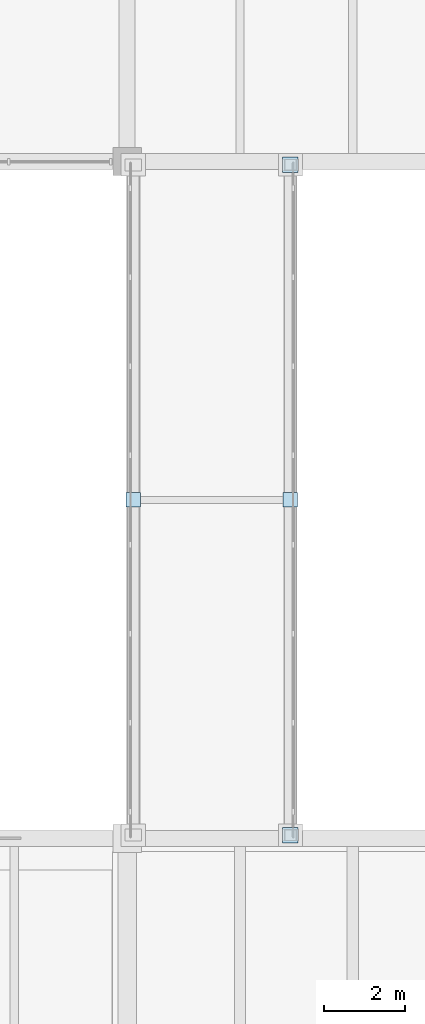
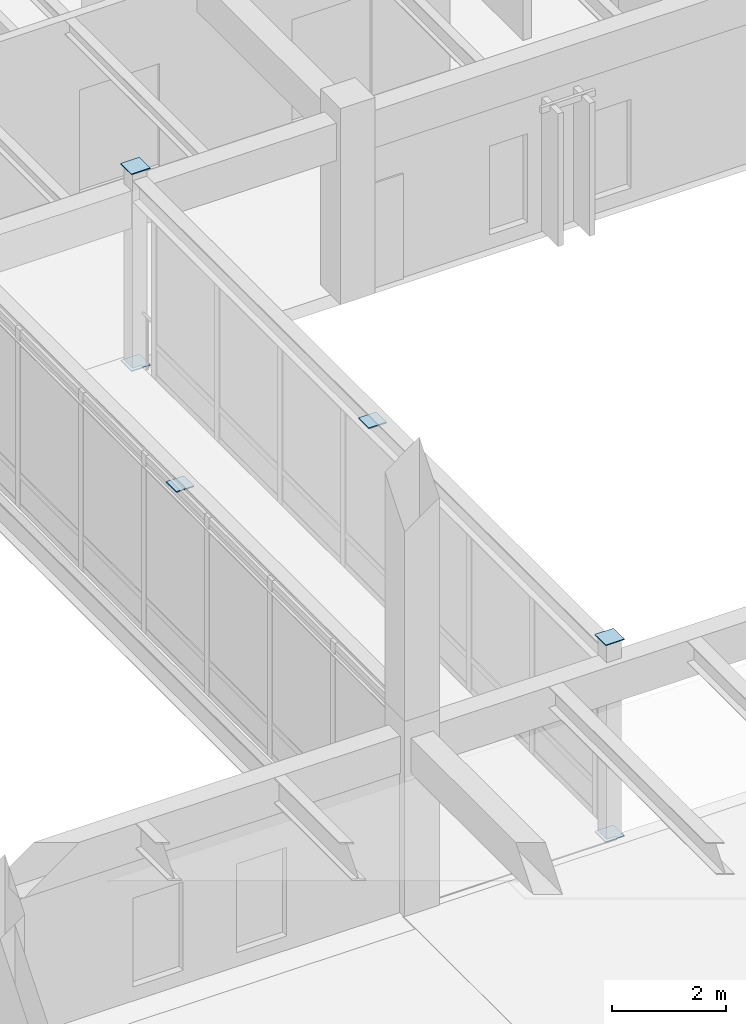
# One storey, part 81 of 132: 6 plates.
"""IFC4 building model written with IfcOpenShell, lengths in metres."""

from ifc_helpers import new_model, si_unit, direction, frame, origin, origin_2d, place, context, subcontext, project, spatial, rectangle, extrude, material, layer, layer_set, type_object, element, save


model = new_model("IFC4")

# Units and contexts
model_context = context("Model", 3, precision=1e-05, world=origin(), true_north=direction((0.0, 1.0)))
body_context = subcontext(model_context, "Body", "Model", "MODEL_VIEW")
ifc_project = project(units=[si_unit("LENGTHUNIT", "METRE"), si_unit("AREAUNIT", "SQUARE_METRE"), si_unit("VOLUMEUNIT", "CUBIC_METRE"), si_unit("PLANEANGLEUNIT", "RADIAN"), si_unit("MASSUNIT", "GRAM", prefix="KILO")], contexts=[model_context])

# Site, building, storey
site_placement = place(None, origin())
site = spatial("IfcSite", under=ifc_project, at=site_placement, CompositionType="ELEMENT")
building_placement = place(site_placement, origin())
building = spatial("IfcBuilding", under=site, at=building_placement, Name="Cumbredor Promenade Congress Hotel", CompositionType="ELEMENT")
storey_placement = place(building_placement, frame((0.0, 0.0, 7.56005859375)))
storey = spatial("IfcBuildingStorey", under=building, at=storey_placement, Name="L02", CompositionType="ELEMENT", Elevation=7.56005859375)

# Plates
ifc_material = material(Name="Steel ASTM A572 Grade 50", Category="steel")
ifc_layer_1 = layer(ifc_material, 0.02392578125, Name="Steel ASTM A572 Grade 50", Category="steel")
ifc_layer_set_1 = layer_set([ifc_layer_1], Name="Steel ASTM A572 Grade 50")
plate_type_1 = type_object("IfcPlateType", Name="Bridge Truss Node Assembly ND-06", PredefinedType="USERDEFINED", material=ifc_layer_set_1)
for number, where, z_axis, x_axis, name in (
    (1, (151.35009765625, 75.60009765625, 3.79150390625), (0.0, 0.0, 1.0), (1.0, 0.0, 0.0), "East Ballroom-to-Forum Glazed Bridge Bridge Truss Node ND-06"),
    (2, (155.25, 75.60009765625, 3.79150390625), (0.0, 0.0, 1.0), (1.0, 0.0, 0.0), "East Ballroom-to-Forum Glazed Bridge Bridge Truss Node ND-06"),
):
    element("IfcPlate", number, at=place(storey_placement, frame(where, z_axis=z_axis, x_axis=x_axis)), inside=storey, type_object=plate_type_1, Name=name, ObjectType="GUSSET PLATE", PredefinedType="USERDEFINED", context=body_context, shape_type="SweptSolid", body=[
        extrude(rectangle(XDim=0.360107421875, YDim=0.360107421875, at=origin_2d()), origin(), (0.0, 0.0, 1.0), 0.02392578125),
    ])
ifc_layer_2 = layer(ifc_material, 0.02001953125, Name="Steel ASTM A572 Grade 50", Category="steel")
ifc_layer_set_2 = layer_set([ifc_layer_2], Name="Steel ASTM A572 Grade 50")
plate_type_2 = type_object("IfcPlateType", Name="Hollow Section End Cap Plate CP-04", PredefinedType="USERDEFINED", material=ifc_layer_set_2)
for number, where, z_axis, x_axis, name in (
    (3, (155.25, 67.280029296875, -0.01806640625), (0.0, 0.0, 1.0), (1.0, 0.0, 0.0), "L02 East Ballroom-to-Forum Glazed Bridge Support Column 2 Start Cap Plate"),
    (4, (155.25, 67.280029296875, 4.197998046875), (0.0, 0.0, 1.0), (1.0, 0.0, 0.0), "L02 East Ballroom-to-Forum Glazed Bridge Support Column 2 End Cap Plate"),
    (5, (155.25, 83.919921875, -0.01806640625), (0.0, 0.0, 1.0), (1.0, 0.0, 0.0), "L02 East Ballroom-to-Forum Glazed Bridge Support Column 4 Start Cap Plate"),
    (6, (155.25, 83.919921875, 4.197998046875), (0.0, 0.0, 1.0), (1.0, 0.0, 0.0), "L02 East Ballroom-to-Forum Glazed Bridge Support Column 4 End Cap Plate"),
):
    element("IfcPlate", number, at=place(storey_placement, frame(where, z_axis=z_axis, x_axis=x_axis)), inside=storey, type_object=plate_type_2, Name=name, ObjectType="CAP PLATE", PredefinedType="USERDEFINED", context=body_context, shape_type="SweptSolid", body=[
        extrude(rectangle(XDim=0.3798828125, YDim=0.3798828125, at=origin_2d()), origin(), (0.0, 0.0, 1.0), 0.02001953125),
    ])

save(model, "model.ifc")
